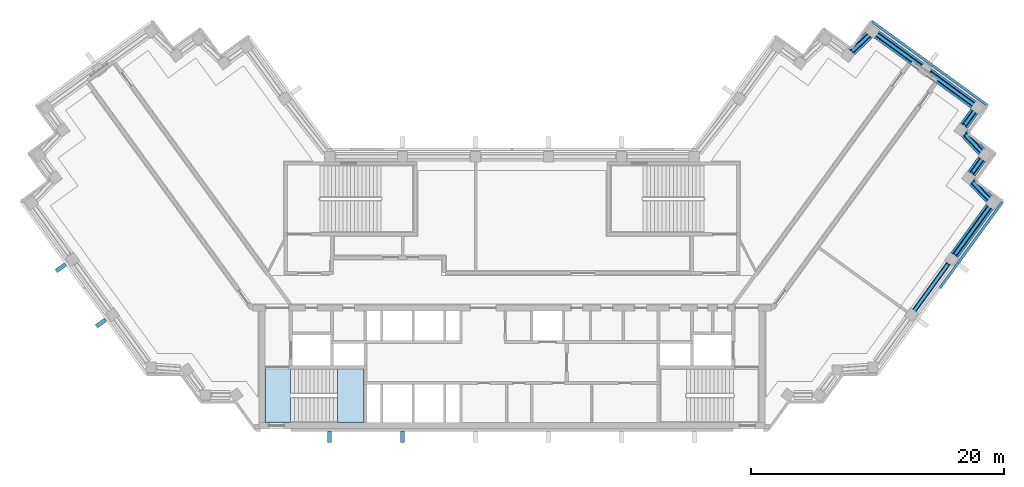
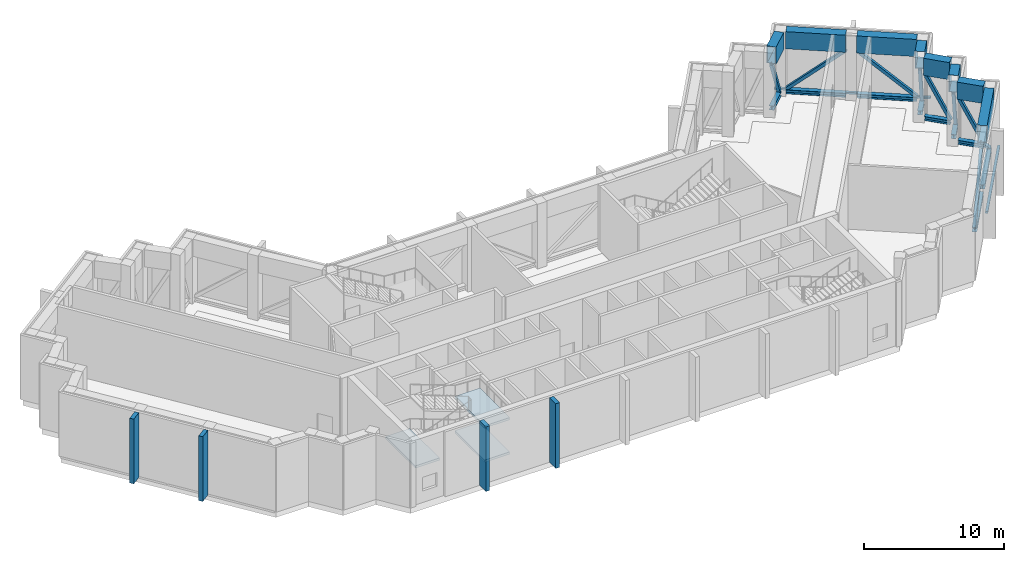
"""IFC4 building model written with IfcOpenShell, lengths in metres."""

from ifc_helpers import new_model, si_unit, direction, frame, origin, origin_2d, place, context, subcontext, project, spatial, polyline, rectangle, hollow_rectangle, i_section, outline, extrude, material, layer, layer_set, material_profile, profile_set, type_object, element, aggregate, save


model = new_model("IFC4")

# Units and contexts
model_context = context("Model", 3, precision=1e-05, world=origin(), true_north=direction((0.0, 1.0)))
body_context = subcontext(model_context, "Body", "Model", "MODEL_VIEW")
ifc_project = project(units=[si_unit("LENGTHUNIT", "METRE"), si_unit("AREAUNIT", "SQUARE_METRE"), si_unit("VOLUMEUNIT", "CUBIC_METRE"), si_unit("PLANEANGLEUNIT", "RADIAN"), si_unit("MASSUNIT", "GRAM", prefix="KILO")], contexts=[model_context])

# Site, building, storey
site_placement = place(None, origin())
site = spatial("IfcSite", under=ifc_project, at=site_placement, CompositionType="ELEMENT")
building_placement = place(site_placement, origin())
building = spatial("IfcBuilding", under=site, at=building_placement, Name="Quipu Civic Tower", CompositionType="ELEMENT")
storey_1_placement = place(building_placement, frame((0.0, 0.0, 301.0)))
storey_1 = spatial("IfcBuildingStorey", under=building, at=storey_1_placement, Name="L70", CompositionType="ELEMENT", Elevation=301.0)

# Beams
ifc_material_1 = material(Name="Steel ASTM A992 Grade 50 (fy 345 MPa)", Category="steel")
ifc_material_profile_1 = material_profile(ifc_material_1, i_section(OverallWidth=0.368896484375, OverallDepth=0.356201171875, WebThickness=0.01123046875, FlangeThickness=0.01806640625, at=origin_2d()), Name="W360x134")
ifc_profile_set_1 = profile_set([ifc_material_profile_1], Name="Steel ASTM A992 Grade 50 (fy 345 MPa)")
beam_type_1 = type_object("IfcBeamType", Name="Belt truss bottom chord W360x134", PredefinedType="BEAM", material=ifc_profile_set_1)
beam_1_placement = place(storey_1_placement, frame((31.783447265625, -1.64501953125, 0.278076171875), z_axis=(0.587796098864, 0.809009113768, 0.0), x_axis=(-0.809009113768, 0.587796098864, 0.0)))
element("IfcBeam", 1, at=beam_1_placement, inside=storey_1, type_object=beam_type_1, Name="Truss bottom chord L70 E-OUT-01 to E-OUT-02", PredefinedType="BEAM", context=body_context, shape_type="SweptSolid", body=[
    extrude(i_section(OverallWidth=0.368896484375, OverallDepth=0.356201171875, WebThickness=0.01123046875, FlangeThickness=0.01806640625, at=origin_2d()), origin(), (0.0, 0.0, 1.0), 4.60009765625),
])
beam_2_placement = place(storey_1_placement, frame((34.95751953125, 2.7236328125, 0.278076171875), z_axis=(0.587891029962, 0.808940131833, 0.0), x_axis=(-0.808940131833, 0.587891029962, 0.0)))
element("IfcBeam", 2, at=beam_2_placement, inside=storey_1, type_object=beam_type_1, Name="Truss bottom chord L70 E-OUT-02 to T-Eo.0-E22", PredefinedType="BEAM", context=body_context, shape_type="SweptSolid", body=[
    extrude(i_section(OverallWidth=0.368896484375, OverallDepth=0.356201171875, WebThickness=0.01123046875, FlangeThickness=0.01806640625, at=origin_2d()), origin(), (0.0, 0.0, 1.0), 4.707275390625),
])
beam_3_placement = place(storey_1_placement, frame((37.6796875, 7.149658203125, 0.278076171875), z_axis=(-0.689191109061, 0.724579612735, 0.0), x_axis=(-0.724579612735, -0.689191109061, 0.0)))
element("IfcBeam", 3, at=beam_3_placement, inside=storey_1, type_object=beam_type_1, Name="Truss bottom chord L70 T-Eo.0-E22 to T-Eo.1-E22", PredefinedType="BEAM", context=body_context, shape_type="SweptSolid", body=[
    extrude(i_section(OverallWidth=0.368896484375, OverallDepth=0.356201171875, WebThickness=0.01123046875, FlangeThickness=0.01806640625, at=origin_2d()), origin(), (0.0, 0.0, 1.0), 1.931640625),
])
beam_4_placement = place(storey_1_placement, frame((36.302978515625, 9.16796875, 0.278076171875), z_axis=(0.58725897397, 0.809399096547, 0.0), x_axis=(-0.809399096547, 0.58725897397, 0.0)))
element("IfcBeam", 4, at=beam_4_placement, inside=storey_1, type_object=beam_type_1, Name="Truss bottom chord L70 T-Eo.1-E22 to T-Eo.2-E22", PredefinedType="BEAM", context=body_context, shape_type="SweptSolid", body=[
    extrude(i_section(OverallWidth=0.368896484375, OverallDepth=0.356201171875, WebThickness=0.01123046875, FlangeThickness=0.01806640625, at=origin_2d()), origin(), (0.0, 0.0, 1.0), 1.400146484375),
])
beam_5_placement = place(storey_1_placement, frame((37.080078125, 10.920166015625, 0.278076171875), z_axis=(-0.688280901551, 0.725444278053, 0.0), x_axis=(-0.725444278053, -0.688280901551, 0.0)))
element("IfcBeam", 5, at=beam_5_placement, inside=storey_1, type_object=beam_type_1, Name="Truss bottom chord L70 T-Eo.2-E22 to T-Eo.3-E22", PredefinedType="BEAM", context=body_context, shape_type="SweptSolid", body=[
    extrude(i_section(OverallWidth=0.368896484375, OverallDepth=0.356201171875, WebThickness=0.01123046875, FlangeThickness=0.01806640625, at=origin_2d()), origin(), (0.0, 0.0, 1.0), 1.931396484375),
])
beam_6_placement = place(storey_1_placement, frame((35.7060546875, 12.93994140625, 0.278076171875), z_axis=(0.58841024035, 0.808562544922, 0.0), x_axis=(-0.808562544922, 0.58841024035, 0.0)))
element("IfcBeam", 6, at=beam_6_placement, inside=storey_1, type_object=beam_type_1, Name="Truss bottom chord L70 T-Eo.3-E22 to T-Eo.4-E22", PredefinedType="BEAM", context=body_context, shape_type="SweptSolid", body=[
    extrude(i_section(OverallWidth=0.368896484375, OverallDepth=0.356201171875, WebThickness=0.01123046875, FlangeThickness=0.01806640625, at=origin_2d()), origin(), (0.0, 0.0, 1.0), 1.3994140625),
])
beam_7_placement = place(storey_1_placement, frame((36.44140625, 14.630126953125, 0.278076171875), z_axis=(-0.809153076016, 0.587597906373, 0.0), x_axis=(-0.587597906373, -0.809153076016, 0.0)))
element("IfcBeam", 7, at=beam_7_placement, inside=storey_1, type_object=beam_type_1, Name="Truss bottom chord L70 T-Eo.4-E22 to TIP-E-01-E22", PredefinedType="BEAM", context=body_context, shape_type="SweptSolid", body=[
    extrude(i_section(OverallWidth=0.368896484375, OverallDepth=0.356201171875, WebThickness=0.01123046875, FlangeThickness=0.01806640625, at=origin_2d()), origin(), (0.0, 0.0, 1.0), 4.302001953125),
])
beam_8_placement = place(storey_1_placement, frame((32.313232421875, 17.6279296875, 0.278076171875), z_axis=(-0.80911644178, 0.587648350327, 0.0), x_axis=(-0.587648350327, -0.80911644178, 0.0)))
element("IfcBeam", 8, at=beam_8_placement, inside=storey_1, type_object=beam_type_1, Name="Truss bottom chord L70 TIP-E-01-E22 to T-Ei.0-E22", PredefinedType="BEAM", context=body_context, shape_type="SweptSolid", body=[
    extrude(i_section(OverallWidth=0.368896484375, OverallDepth=0.356201171875, WebThickness=0.01123046875, FlangeThickness=0.01806640625, at=origin_2d()), origin(), (0.0, 0.0, 1.0), 4.30029296875),
])
beam_9_placement = place(storey_1_placement, frame((28.21484375, 20.10986328125, 0.278076171875), z_axis=(-0.725384387405, -0.688344020464, 0.0), x_axis=(0.688344020464, -0.725384387405, 0.0)))
element("IfcBeam", 9, at=beam_9_placement, inside=storey_1, type_object=beam_type_1, Name="Truss bottom chord L70 T-Ei.0-E22 to T-Ei.1-E22", PredefinedType="BEAM", context=body_context, shape_type="SweptSolid", body=[
    extrude(i_section(OverallWidth=0.368896484375, OverallDepth=0.356201171875, WebThickness=0.01123046875, FlangeThickness=0.01806640625, at=origin_2d()), origin(), (0.0, 0.0, 1.0), 1.93115234375),
])

# Members
ifc_material_2 = material(Name="Steel ASTM A500 Grade C (fy 345 MPa)", Category="steel")
ifc_material_profile_2 = material_profile(ifc_material_2, hollow_rectangle(XDim=0.25390625, YDim=0.25390625, WallThickness=0.0126953125, at=origin_2d()), Name="HSS254x254x13")
ifc_profile_set_2 = profile_set([ifc_material_profile_2], Name="Steel ASTM A500 Grade C (fy 345 MPa)")
member_type_1 = type_object("IfcMemberType", Name="Belt truss diagonal HSS254x254x13", PredefinedType="BRACE", material=ifc_profile_set_2)
member_1_placement = place(storey_1_placement, frame((31.783447265625, -1.64501953125, 0.4560546875), z_axis=(0.458317535829, 0.630802184979, 0.626125897706), x_axis=(-0.809009113768, 0.587796098864, 0.0)))
element("IfcMember", 10, at=member_1_placement, inside=storey_1, type_object=member_type_1, Name="Truss diagonal L70 E-OUT-01 to E-OUT-02", PredefinedType="BRACE", context=body_context, shape_type="SweptSolid", body=[
    extrude(hollow_rectangle(XDim=0.25390625, YDim=0.25390625, WallThickness=0.0126953125, at=origin_2d()), origin(), (0.0, 0.0, 1.0), 5.8994140625),
])
member_2_placement = place(storey_1_placement, frame((34.95751953125, 2.7236328125, 4.14990234375), z_axis=(0.462493004315, 0.636392006026, -0.617337375853), x_axis=(-0.808940131833, 0.587891029962, 0.0)))
element("IfcMember", 11, at=member_2_placement, inside=storey_1, type_object=member_type_1, Name="Truss diagonal L70 E-OUT-02 to T-Eo.0-E22", PredefinedType="BRACE", context=body_context, shape_type="SweptSolid", body=[
    extrude(hollow_rectangle(XDim=0.25390625, YDim=0.25390625, WallThickness=0.0126953125, at=origin_2d()), origin(), (0.0, 0.0, 1.0), 5.9833984375),
])
member_3_placement = place(storey_1_placement, frame((37.684326171875, 7.144775390625, 0.4560546875), z_axis=(-0.32111906753, 0.337610704216, 0.884817244897), x_axis=(-0.724582520845, -0.689188051613, 0.0)))
element("IfcMember", 12, at=member_3_placement, inside=storey_1, type_object=member_type_1, Name="Truss diagonal L70 T-Eo.0-E22 to T-Eo.1-E22", PredefinedType="BRACE", context=body_context, shape_type="SweptSolid", body=[
    extrude(hollow_rectangle(XDim=0.25390625, YDim=0.25390625, WallThickness=0.0126953125, at=origin_2d()), origin(), (0.0, 0.0, 1.0), 4.1748046875),
])
member_4_placement = place(storey_1_placement, frame((36.302978515625, 9.16796875, 4.14990234375), z_axis=(0.208151824317, 0.286888589217, -0.935076336676), x_axis=(-0.809399096547, 0.58725897397, 0.0)))
element("IfcMember", 13, at=member_4_placement, inside=storey_1, type_object=member_type_1, Name="Truss diagonal L70 T-Eo.1-E22 to T-Eo.2-E22", PredefinedType="BRACE", context=body_context, shape_type="SweptSolid", body=[
    extrude(hollow_rectangle(XDim=0.25390625, YDim=0.25390625, WallThickness=0.0126953125, at=origin_2d()), origin(), (0.0, 0.0, 1.0), 3.9501953125),
])
member_5_placement = place(storey_1_placement, frame((37.084716796875, 10.915283203125, 0.4560546875), z_axis=(-0.320661353071, 0.337972270545, 0.884845207361), x_axis=(-0.725441198178, -0.688284147708, 0.0)))
element("IfcMember", 14, at=member_5_placement, inside=storey_1, type_object=member_type_1, Name="Truss diagonal L70 T-Eo.2-E22 to T-Eo.3-E22", PredefinedType="BRACE", context=body_context, shape_type="SweptSolid", body=[
    extrude(hollow_rectangle(XDim=0.25390625, YDim=0.25390625, WallThickness=0.0126953125, at=origin_2d()), origin(), (0.0, 0.0, 1.0), 4.174560546875),
])
member_6_placement = place(storey_1_placement, frame((35.7060546875, 12.93994140625, 4.14990234375), z_axis=(0.208473274209, 0.286473058392, -0.935132119412), x_axis=(-0.808562544922, 0.58841024035, 0.0)))
element("IfcMember", 15, at=member_6_placement, inside=storey_1, type_object=member_type_1, Name="Truss diagonal L70 T-Eo.3-E22 to T-Eo.4-E22", PredefinedType="BRACE", context=body_context, shape_type="SweptSolid", body=[
    extrude(hollow_rectangle(XDim=0.25390625, YDim=0.25390625, WallThickness=0.0126953125, at=origin_2d()), origin(), (0.0, 0.0, 1.0), 3.9501953125),
])
member_7_placement = place(storey_1_placement, frame((36.44140625, 14.630126953125, 0.4560546875), z_axis=(-0.61390051048, 0.445807678883, 0.65144583557), x_axis=(-0.587597906373, -0.809153076016, 0.0)))
element("IfcMember", 16, at=member_7_placement, inside=storey_1, type_object=member_type_1, Name="Truss diagonal L70 T-Eo.4-E22 to TIP-E-01-E22", PredefinedType="BRACE", context=body_context, shape_type="SweptSolid", body=[
    extrude(hollow_rectangle(XDim=0.25390625, YDim=0.25390625, WallThickness=0.0126953125, at=origin_2d()), origin(), (0.0, 0.0, 1.0), 5.670166015625),
])
member_8_placement = place(storey_1_placement, frame((32.313232421875, 17.6279296875, 4.14990234375), z_axis=(-0.613774845381, 0.445774868407, -0.651586683316), x_axis=(-0.587648350327, -0.80911644178, 0.0)))
element("IfcMember", 17, at=member_8_placement, inside=storey_1, type_object=member_type_1, Name="Truss diagonal L70 TIP-E-01-E22 to T-Ei.0-E22", PredefinedType="BRACE", context=body_context, shape_type="SweptSolid", body=[
    extrude(hollow_rectangle(XDim=0.25390625, YDim=0.25390625, WallThickness=0.0126953125, at=origin_2d()), origin(), (0.0, 0.0, 1.0), 5.6689453125),
])
member_9_placement = place(storey_1_placement, frame((28.219970703125, 20.11474609375, 0.4560546875), z_axis=(-0.337965932089, -0.320713821003, 0.88482861265), x_axis=(0.688350201487, -0.725378521954, 0.0)))
element("IfcMember", 18, at=member_9_placement, inside=storey_1, type_object=member_type_1, Name="Truss diagonal L70 T-Ei.0-E22 to T-Ei.1-E22", PredefinedType="BRACE", context=body_context, shape_type="SweptSolid", body=[
    extrude(hollow_rectangle(XDim=0.25390625, YDim=0.25390625, WallThickness=0.0126953125, at=origin_2d()), origin(), (0.0, 0.0, 1.0), 4.174560546875),
])

# Beams
ifc_material_3 = material(Name="Steel ASTM A572 Grade 50 (fy 345 MPa)", Category="steel")
ifc_material_profile_3 = material_profile(ifc_material_3, hollow_rectangle(XDim=0.699951171875, YDim=1.5, WallThickness=0.050048828125, at=origin_2d()), Name="BX1500x700x50")
ifc_profile_set_3 = profile_set([ifc_material_profile_3], Name="Steel ASTM A572 Grade 50 (fy 345 MPa)")
beam_type_2 = type_object("IfcBeamType", Name="Belt truss top chord BX1500x700x50", PredefinedType="BEAM", material=ifc_profile_set_3)
beam_10_placement = place(storey_1_placement, frame((34.95751953125, 2.7236328125, 4.89990234375), z_axis=(0.587891029962, 0.808940131833, 0.0), x_axis=(-0.808940131833, 0.587891029962, 0.0)))
element("IfcBeam", 19, at=beam_10_placement, inside=storey_1, type_object=beam_type_2, Name="Truss top chord L70 E-OUT-02 to T-Eo.0-E22", PredefinedType="BEAM", context=body_context, shape_type="SweptSolid", body=[
    extrude(hollow_rectangle(XDim=0.699951171875, YDim=1.5, WallThickness=0.050048828125, at=origin_2d()), origin(), (0.0, 0.0, 1.0), 4.707275390625),
])
beam_11_placement = place(storey_1_placement, frame((37.6796875, 7.149658203125, 4.89990234375), z_axis=(-0.689191109061, 0.724579612735, 0.0), x_axis=(-0.724579612735, -0.689191109061, 0.0)))
element("IfcBeam", 20, at=beam_11_placement, inside=storey_1, type_object=beam_type_2, Name="Truss top chord L70 T-Eo.0-E22 to T-Eo.1-E22", PredefinedType="BEAM", context=body_context, shape_type="SweptSolid", body=[
    extrude(hollow_rectangle(XDim=0.699951171875, YDim=1.5, WallThickness=0.050048828125, at=origin_2d()), origin(), (0.0, 0.0, 1.0), 1.931640625),
])
beam_12_placement = place(storey_1_placement, frame((36.302978515625, 9.16796875, 4.89990234375), z_axis=(0.58725897397, 0.809399096547, 0.0), x_axis=(-0.809399096547, 0.58725897397, 0.0)))
element("IfcBeam", 21, at=beam_12_placement, inside=storey_1, type_object=beam_type_2, Name="Truss top chord L70 T-Eo.1-E22 to T-Eo.2-E22", PredefinedType="BEAM", context=body_context, shape_type="SweptSolid", body=[
    extrude(hollow_rectangle(XDim=0.699951171875, YDim=1.5, WallThickness=0.050048828125, at=origin_2d()), origin(), (0.0, 0.0, 1.0), 1.400146484375),
])
beam_13_placement = place(storey_1_placement, frame((37.080078125, 10.920166015625, 4.89990234375), z_axis=(-0.688280901551, 0.725444278053, 0.0), x_axis=(-0.725444278053, -0.688280901551, 0.0)))
element("IfcBeam", 22, at=beam_13_placement, inside=storey_1, type_object=beam_type_2, Name="Truss top chord L70 T-Eo.2-E22 to T-Eo.3-E22", PredefinedType="BEAM", context=body_context, shape_type="SweptSolid", body=[
    extrude(hollow_rectangle(XDim=0.699951171875, YDim=1.5, WallThickness=0.050048828125, at=origin_2d()), origin(), (0.0, 0.0, 1.0), 1.931396484375),
])
beam_14_placement = place(storey_1_placement, frame((35.7060546875, 12.93994140625, 4.89990234375), z_axis=(0.58841024035, 0.808562544922, 0.0), x_axis=(-0.808562544922, 0.58841024035, 0.0)))
element("IfcBeam", 23, at=beam_14_placement, inside=storey_1, type_object=beam_type_2, Name="Truss top chord L70 T-Eo.3-E22 to T-Eo.4-E22", PredefinedType="BEAM", context=body_context, shape_type="SweptSolid", body=[
    extrude(hollow_rectangle(XDim=0.699951171875, YDim=1.5, WallThickness=0.050048828125, at=origin_2d()), origin(), (0.0, 0.0, 1.0), 1.3994140625),
])
beam_15_placement = place(storey_1_placement, frame((36.44140625, 14.630126953125, 4.89990234375), z_axis=(-0.809153076016, 0.587597906373, 0.0), x_axis=(-0.587597906373, -0.809153076016, 0.0)))
element("IfcBeam", 24, at=beam_15_placement, inside=storey_1, type_object=beam_type_2, Name="Truss top chord L70 T-Eo.4-E22 to TIP-E-01-E22", PredefinedType="BEAM", context=body_context, shape_type="SweptSolid", body=[
    extrude(hollow_rectangle(XDim=0.699951171875, YDim=1.5, WallThickness=0.050048828125, at=origin_2d()), origin(), (0.0, 0.0, 1.0), 4.302001953125),
])
beam_16_placement = place(storey_1_placement, frame((32.313232421875, 17.6279296875, 4.89990234375), z_axis=(-0.80911644178, 0.587648350327, 0.0), x_axis=(-0.587648350327, -0.80911644178, 0.0)))
element("IfcBeam", 25, at=beam_16_placement, inside=storey_1, type_object=beam_type_2, Name="Truss top chord L70 TIP-E-01-E22 to T-Ei.0-E22", PredefinedType="BEAM", context=body_context, shape_type="SweptSolid", body=[
    extrude(hollow_rectangle(XDim=0.699951171875, YDim=1.5, WallThickness=0.050048828125, at=origin_2d()), origin(), (0.0, 0.0, 1.0), 4.30029296875),
])
beam_17_placement = place(storey_1_placement, frame((28.21484375, 20.10986328125, 4.89990234375), z_axis=(-0.725384387405, -0.688344020464, 0.0), x_axis=(0.688344020464, -0.725384387405, 0.0)))
element("IfcBeam", 26, at=beam_17_placement, inside=storey_1, type_object=beam_type_2, Name="Truss top chord L70 T-Ei.0-E22 to T-Ei.1-E22", PredefinedType="BEAM", context=body_context, shape_type="SweptSolid", body=[
    extrude(hollow_rectangle(XDim=0.699951171875, YDim=1.5, WallThickness=0.050048828125, at=origin_2d()), origin(), (0.0, 0.0, 1.0), 1.93115234375),
])

# Storey
storey_2_placement = place(building_placement, frame((0.0, 0.0, 297.0)))
storey_2 = spatial("IfcBuildingStorey", under=building, at=storey_2_placement, Name="L69", CompositionType="ELEMENT", Elevation=297.0)

# Curtain wall, member
ifc_material_4 = material(Name="Insulated glass unit", Category="glass")
curtain_wall_type = type_object("IfcCurtainWallType", Name="Office curtain wall CW1", PredefinedType="NOTDEFINED", material=ifc_material_4)
curtain_wall_1_placement = place(storey_2_placement, origin())
curtain_wall_1 = element("IfcCurtainWall", 27, at=curtain_wall_1_placement, inside=storey_2, type_object=curtain_wall_type, Name="Office curtain wall CW1 L68 run 23", PredefinedType="NOTDEFINED")
ifc_material_5 = material(Name="Anodised aluminium", Category="aluminium")
ifc_material_profile_4 = material_profile(ifc_material_5, rectangle(XDim=0.199951171875, YDim=0.159912109375, at=origin_2d()), Name="RECT 200x160")
ifc_profile_set_4 = profile_set([ifc_material_profile_4], Name="Anodised aluminium")
member_type_2 = type_object("IfcMemberType", Name="Transom CW1", PredefinedType="USERDEFINED", material=ifc_profile_set_4)
member_10_placement = place(storey_1_placement, frame((33.83642578125, 0.15966796875, 0.0), z_axis=(0.587779098815, 0.809021465102, 0.0), x_axis=(-0.809021465102, 0.587779098815, 0.0)))
member_10 = element("IfcMember", 28, at=member_10_placement, inside=storey_1, type_object=member_type_2, Name="CW1 transom 2.3", ObjectType="TRANSOM", PredefinedType="USERDEFINED", context=body_context, shape_type="SweptSolid", body=[
    extrude(rectangle(XDim=0.199951171875, YDim=0.159912109375, at=origin_2d()), origin(), (0.0, 0.0, 1.0), 8.35791015625),
])
aggregate(curtain_wall_1, [member_10])

curtain_wall_2_placement = place(storey_2_placement, origin())
curtain_wall_2 = element("IfcCurtainWall", 29, at=curtain_wall_2_placement, inside=storey_2, type_object=curtain_wall_type, Name="Office curtain wall CW1 L68 run 28", PredefinedType="NOTDEFINED")
member_11_placement = place(storey_1_placement, frame((37.536865234375, 14.575927734375, 0.0), z_axis=(-0.809022463805, 0.587777724194, 0.0), x_axis=(-0.587777724194, -0.809022463805, 0.0)))
member_11 = element("IfcMember", 30, at=member_11_placement, inside=storey_1, type_object=member_type_2, Name="CW1 transom 1.3", ObjectType="TRANSOM", PredefinedType="USERDEFINED", context=body_context, shape_type="SweptSolid", body=[
    extrude(rectangle(XDim=0.199951171875, YDim=0.159912109375, at=origin_2d()), origin(), (0.0, 0.0, 1.0), 11.240234375),
])
aggregate(curtain_wall_2, [member_11])

# Plates
ifc_material_6 = material(Name="Precast concrete C40/50", Category="concrete")
plate_type = type_object("IfcPlateType", Name="Precast fin F3", PredefinedType="SHEET", material=ifc_material_6)
for number, where, z_axis, x_axis, name in (
    (31, (-35.642822265625, 1.73095703125, 0.0), (0.0, 0.0, 1.0), (0.587786668783, -0.809015965233, 0.0), "Precast fin F3 L70.11.1"),
    (32, (-32.46875, -2.637939453125, 0.0), (0.0, 0.0, 1.0), (0.587786668783, -0.809015965233, 0.0), "Precast fin F3 L70.11.2"),
    (33, (-14.431884765625, -11.637939453125, 0.0), (0.0, 0.0, 1.0), (1.0, 0.0, 0.0), "Precast fin F3 L70.17.1"),
    (34, (-8.658935546875, -11.637939453125, 0.0), (0.0, 0.0, 1.0), (1.0, 0.0, 0.0), "Precast fin F3 L70.17.2"),
):
    element("IfcPlate", number, at=place(storey_1_placement, frame(where, z_axis=z_axis, x_axis=x_axis)), inside=storey_1, type_object=plate_type, Name=name, PredefinedType="SHEET", context=body_context, shape_type="SweptSolid", body=[
        extrude(rectangle(XDim=0.320068359375, YDim=0.89990234375, at=origin_2d()), origin(), (0.0, 0.0, 1.0), 5.64990234375),
    ])

# Stair, slabs
ifc_material_7 = material(Name="Concrete C40/50", Category="concrete")
stair_type = type_object("IfcStairType", Name="Half turn stair 2000", PredefinedType="HALF_TURN_STAIR", material=ifc_material_7)
stair_placement = place(storey_1_placement, origin())
stair = element("IfcStair", 35, at=stair_placement, inside=storey_1, type_object=stair_type, Name="Exit stair 1", PredefinedType="HALF_TURN_STAIR")
ifc_material_8 = material(Name="Concrete C40/50", Category="concrete")
ifc_layer = layer(ifc_material_8, 0.199951171875)
ifc_layer_set = layer_set([ifc_layer], Name="Concrete C40/50")
slab_type = type_object("IfcSlabType", Name="Stair landing 200", PredefinedType="LANDING", material=ifc_layer_set)
slab_1_placement = place(storey_1_placement, frame((0.0, 0.0, 1.300048828125)))
slab_1 = element("IfcSlab", 36, at=slab_1_placement, type_object=slab_type, Name="ST-1 landing 1", PredefinedType="LANDING", context=body_context, shape_type="SweptSolid", body=[
    extrude(outline(polyline([(-13.780029296875, -10.5), (-11.699951171875, -10.5), (-11.699951171875, -6.25), (-13.780029296875, -6.25), (-13.780029296875, -10.5)])), origin(), (0.0, 0.0, 1.0), 0.199951171875),
])
slab_2_placement = place(storey_1_placement, frame((0.0, 0.0, 2.800048828125)))
slab_2 = element("IfcSlab", 37, at=slab_2_placement, type_object=slab_type, Name="ST-1 landing 2", PredefinedType="LANDING", context=body_context, shape_type="SweptSolid", body=[
    extrude(outline(polyline([(-19.5, -10.5), (-17.5, -10.5), (-17.5, -6.25), (-19.5, -6.25), (-19.5, -10.5)])), origin(), (0.0, 0.0, 1.0), 0.199951171875),
])
slab_3_placement = place(storey_1_placement, frame((0.0, 0.0, 4.300048828125)))
slab_3 = element("IfcSlab", 38, at=slab_3_placement, type_object=slab_type, Name="ST-1 landing 3", PredefinedType="LANDING", context=body_context, shape_type="SweptSolid", body=[
    extrude(outline(polyline([(-13.780029296875, -10.5), (-11.699951171875, -10.5), (-11.699951171875, -6.25), (-13.780029296875, -6.25), (-13.780029296875, -10.5)])), origin(), (0.0, 0.0, 1.0), 0.199951171875),
])
aggregate(stair, [slab_1, slab_2, slab_3])

save(model, "model.ifc")
